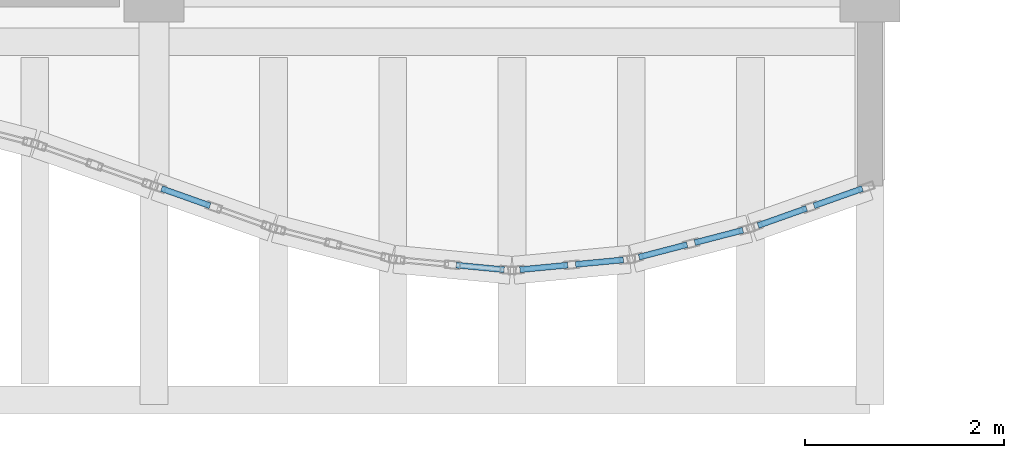
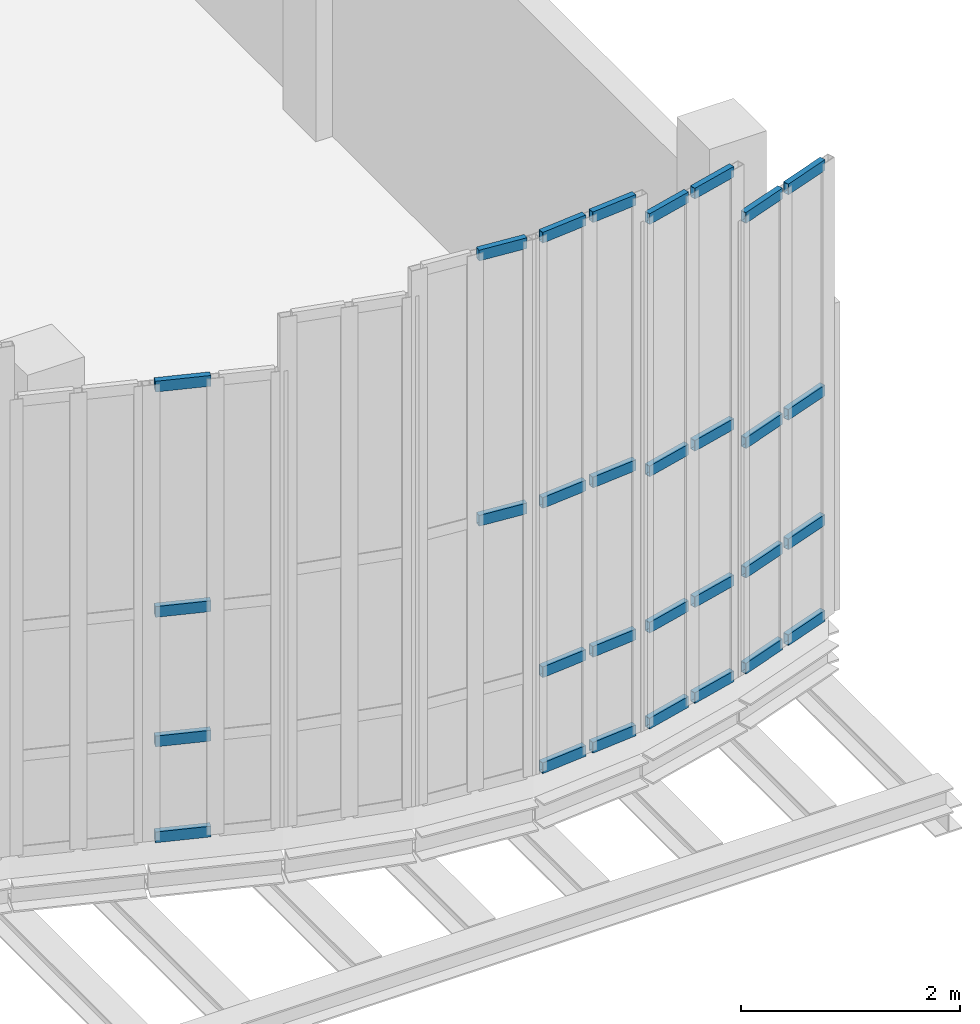
# One storey, part 46 of 76: 30 members, 5 elements without a shape of their own.
"""IFC4 building model written with IfcOpenShell, lengths in metres."""

from ifc_helpers import new_model, si_unit, direction, frame, origin, origin_2d, place, context, subcontext, project, spatial, hollow_rectangle, extrude, material, layer, layer_set, material_profile, profile_set, type_object, element, aggregate, save


model = new_model("IFC4")

# Units and contexts
model_context = context("Model", 3, precision=1e-05, world=origin(), true_north=direction((0.0, 1.0)))
body_context = subcontext(model_context, "Body", "Model", "MODEL_VIEW")
ifc_project = project(units=[si_unit("LENGTHUNIT", "METRE"), si_unit("AREAUNIT", "SQUARE_METRE"), si_unit("VOLUMEUNIT", "CUBIC_METRE"), si_unit("PLANEANGLEUNIT", "RADIAN"), si_unit("MASSUNIT", "GRAM", prefix="KILO"), si_unit("THERMODYNAMICTEMPERATUREUNIT", "KELVIN"), si_unit("POWERUNIT", "WATT")], contexts=[model_context])

# Site, building, storey
site_placement = place(None, origin())
site = spatial("IfcSite", under=ifc_project, at=site_placement, CompositionType="ELEMENT")
building_placement = place(site_placement, origin())
building = spatial("IfcBuilding", under=site, at=building_placement, Name="Kaldorven Railside Theatre", CompositionType="ELEMENT")
storey_placement = place(building_placement, frame((0.0, 0.0, 14.39990234375)))
storey = spatial("IfcBuildingStorey", under=building, at=storey_placement, Name="L03", CompositionType="ELEMENT", Elevation=14.39990234375)

# Curtain wall, members
ifc_material_1 = material(Name="Low-E laminated solar-control glass", Category="glass")
ifc_layer_1 = layer(ifc_material_1, 0.159912109375, Name="Low-E laminated solar-control glass")
ifc_layer_set_1 = layer_set([ifc_layer_1], Name="Low-E laminated solar-control glass")
curtain_wall_type_1 = type_object("IfcCurtainWallType", Name="CWT-08", PredefinedType="USERDEFINED", material=ifc_layer_set_1)
curtain_wall_1_placement = place(storey_placement, origin())
curtain_wall_1 = element("IfcCurtainWall", 1, at=curtain_wall_1_placement, inside=storey, type_object=curtain_wall_type_1, Name="Sinusoidal Fluted Curtain Wall CW-L03-S67", ObjectType="FLUTED GLAZING", PredefinedType="USERDEFINED")
ifc_material_2 = material(Name="Anodised bronze aluminium", Category="aluminium")
ifc_material_profile = material_profile(ifc_material_2, hollow_rectangle(XDim=0.06005859375, YDim=0.1201171875, WallThickness=0.0048828125, at=origin_2d()), Name="RHS 120x60x5")
ifc_profile_set = profile_set([ifc_material_profile], Name="Anodised bronze aluminium")
member_type = type_object("IfcMemberType", Name="CWT-120", PredefinedType="USERDEFINED", material=ifc_profile_set)
member_1_placement = place(storey_placement, frame((116.075439453125, 17.223388671875, 0.030029296875), z_axis=(0.942509408488, -0.334179614745, 0.0), x_axis=(0.334179614745, 0.942509408488, 0.0)))
member_1 = element("IfcMember", 2, at=member_1_placement, type_object=member_type, Name="CW-L03-S67 transom 1.1", ObjectType="TRANSOM", PredefinedType="USERDEFINED", context=body_context, shape_type="SweptSolid", body=[
    extrude(hollow_rectangle(XDim=0.06005859375, YDim=0.1201171875, WallThickness=0.0048828125, at=origin_2d()), origin(), (0.0, 0.0, 1.0), 0.5166015625),
])
member_2_placement = place(storey_placement, frame((116.075439453125, 17.223388671875, 1.10009765625), z_axis=(0.942509408488, -0.334179614745, 0.0), x_axis=(0.334179614745, 0.942509408488, 0.0)))
member_2 = element("IfcMember", 3, at=member_2_placement, type_object=member_type, Name="CW-L03-S67 transom 1.2", ObjectType="TRANSOM", PredefinedType="USERDEFINED", context=body_context, shape_type="SweptSolid", body=[
    extrude(hollow_rectangle(XDim=0.06005859375, YDim=0.1201171875, WallThickness=0.0048828125, at=origin_2d()), origin(), (0.0, 0.0, 1.0), 0.5166015625),
])
member_3_placement = place(storey_placement, frame((116.075439453125, 17.223388671875, 2.545166015625), z_axis=(0.942509408488, -0.334179614745, 0.0), x_axis=(0.334179614745, 0.942509408488, 0.0)))
member_3 = element("IfcMember", 4, at=member_3_placement, type_object=member_type, Name="CW-L03-S67 transom 1.3", ObjectType="TRANSOM", PredefinedType="USERDEFINED", context=body_context, shape_type="SweptSolid", body=[
    extrude(hollow_rectangle(XDim=0.06005859375, YDim=0.1201171875, WallThickness=0.0048828125, at=origin_2d()), origin(), (0.0, 0.0, 1.0), 0.5166015625),
])
member_4_placement = place(storey_placement, frame((116.075439453125, 17.223388671875, 5.06005859375), z_axis=(0.942509408488, -0.334179614745, 0.0), x_axis=(0.334179614745, 0.942509408488, 0.0)))
member_4 = element("IfcMember", 5, at=member_4_placement, type_object=member_type, Name="CW-L03-S67 transom 1.4", ObjectType="TRANSOM", PredefinedType="USERDEFINED", context=body_context, shape_type="SweptSolid", body=[
    extrude(hollow_rectangle(XDim=0.06005859375, YDim=0.1201171875, WallThickness=0.0048828125, at=origin_2d()), origin(), (0.0, 0.0, 1.0), 0.5166015625),
])
aggregate(curtain_wall_1, [member_1, member_2, member_3, member_4])

ifc_layer_2 = layer(ifc_material_1, 0.159912109375, Name="Low-E laminated solar-control glass")
ifc_layer_set_2 = layer_set([ifc_layer_2], Name="Low-E laminated solar-control glass")
curtain_wall_type_2 = type_object("IfcCurtainWallType", Name="CWT-10", PredefinedType="USERDEFINED", material=ifc_layer_set_2)
curtain_wall_2_placement = place(storey_placement, origin())
curtain_wall_2 = element("IfcCurtainWall", 6, at=curtain_wall_2_placement, inside=storey, type_object=curtain_wall_type_2, Name="Sinusoidal Fluted Curtain Wall CW-L03-S69", ObjectType="FLUTED GLAZING", PredefinedType="USERDEFINED")
member_5_placement = place(storey_placement, frame((119.039794921875, 16.453125, 2.989990234375), z_axis=(0.995515910823, -0.094594245591, 0.0), x_axis=(0.094594245591, 0.995515910823, 0.0)))
member_5 = element("IfcMember", 7, at=member_5_placement, type_object=member_type, Name="CW-L03-S69 transom 2.3", ObjectType="TRANSOM", PredefinedType="USERDEFINED", context=body_context, shape_type="SweptSolid", body=[
    extrude(hollow_rectangle(XDim=0.06005859375, YDim=0.1201171875, WallThickness=0.0048828125, at=origin_2d()), origin(), (0.0, 0.0, 1.0), 0.482666015625),
])
member_6_placement = place(storey_placement, frame((119.039794921875, 16.453125, 5.9501953125), z_axis=(0.995515910823, -0.094594245591, 0.0), x_axis=(0.094594245591, 0.995515910823, 0.0)))
member_6 = element("IfcMember", 8, at=member_6_placement, type_object=member_type, Name="CW-L03-S69 transom 2.4", ObjectType="TRANSOM", PredefinedType="USERDEFINED", context=body_context, shape_type="SweptSolid", body=[
    extrude(hollow_rectangle(XDim=0.06005859375, YDim=0.1201171875, WallThickness=0.0048828125, at=origin_2d()), origin(), (0.0, 0.0, 1.0), 0.482666015625),
])
aggregate(curtain_wall_2, [member_5, member_6])

curtain_wall_3_placement = place(storey_placement, origin())
curtain_wall_3 = element("IfcCurtainWall", 9, at=curtain_wall_3_placement, inside=storey, type_object=curtain_wall_type_2, Name="Sinusoidal Fluted Curtain Wall CW-L03-S70", ObjectType="FLUTED GLAZING", PredefinedType="USERDEFINED")
member_7_placement = place(storey_placement, frame((119.6796875, 16.407470703125, 0.030029296875), z_axis=(0.995515910823, 0.094594245591, 0.0), x_axis=(-0.094594245591, 0.995515910823, 0.0)))
member_7 = element("IfcMember", 10, at=member_7_placement, type_object=member_type, Name="CW-L03-S70 transom 1.1", ObjectType="TRANSOM", PredefinedType="USERDEFINED", context=body_context, shape_type="SweptSolid", body=[
    extrude(hollow_rectangle(XDim=0.06005859375, YDim=0.1201171875, WallThickness=0.0048828125, at=origin_2d()), origin(), (0.0, 0.0, 1.0), 0.482666015625),
])
member_8_placement = place(storey_placement, frame((119.6796875, 16.407470703125, 1.10009765625), z_axis=(0.995515910823, 0.094594245591, 0.0), x_axis=(-0.094594245591, 0.995515910823, 0.0)))
member_8 = element("IfcMember", 11, at=member_8_placement, type_object=member_type, Name="CW-L03-S70 transom 1.2", ObjectType="TRANSOM", PredefinedType="USERDEFINED", context=body_context, shape_type="SweptSolid", body=[
    extrude(hollow_rectangle(XDim=0.06005859375, YDim=0.1201171875, WallThickness=0.0048828125, at=origin_2d()), origin(), (0.0, 0.0, 1.0), 0.482666015625),
])
member_9_placement = place(storey_placement, frame((119.6796875, 16.407470703125, 2.989990234375), z_axis=(0.995515910823, 0.094594245591, 0.0), x_axis=(-0.094594245591, 0.995515910823, 0.0)))
member_9 = element("IfcMember", 12, at=member_9_placement, type_object=member_type, Name="CW-L03-S70 transom 1.3", ObjectType="TRANSOM", PredefinedType="USERDEFINED", context=body_context, shape_type="SweptSolid", body=[
    extrude(hollow_rectangle(XDim=0.06005859375, YDim=0.1201171875, WallThickness=0.0048828125, at=origin_2d()), origin(), (0.0, 0.0, 1.0), 0.482666015625),
])
member_10_placement = place(storey_placement, frame((119.6796875, 16.407470703125, 5.9501953125), z_axis=(0.995515910823, 0.094594245591, 0.0), x_axis=(-0.094594245591, 0.995515910823, 0.0)))
member_10 = element("IfcMember", 13, at=member_10_placement, type_object=member_type, Name="CW-L03-S70 transom 1.4", ObjectType="TRANSOM", PredefinedType="USERDEFINED", context=body_context, shape_type="SweptSolid", body=[
    extrude(hollow_rectangle(XDim=0.06005859375, YDim=0.1201171875, WallThickness=0.0048828125, at=origin_2d()), origin(), (0.0, 0.0, 1.0), 0.482666015625),
])
member_11_placement = place(storey_placement, frame((120.23974609375, 16.460693359375, 0.030029296875), z_axis=(0.995520433802, 0.094546633378, 0.0), x_axis=(-0.094546633378, 0.995520433802, 0.0)))
member_11 = element("IfcMember", 14, at=member_11_placement, type_object=member_type, Name="CW-L03-S70 transom 2.1", ObjectType="TRANSOM", PredefinedType="USERDEFINED", context=body_context, shape_type="SweptSolid", body=[
    extrude(hollow_rectangle(XDim=0.06005859375, YDim=0.1201171875, WallThickness=0.0048828125, at=origin_2d()), origin(), (0.0, 0.0, 1.0), 0.48291015625),
])
member_12_placement = place(storey_placement, frame((120.23974609375, 16.460693359375, 1.10009765625), z_axis=(0.995520433802, 0.094546633378, 0.0), x_axis=(-0.094546633378, 0.995520433802, 0.0)))
member_12 = element("IfcMember", 15, at=member_12_placement, type_object=member_type, Name="CW-L03-S70 transom 2.2", ObjectType="TRANSOM", PredefinedType="USERDEFINED", context=body_context, shape_type="SweptSolid", body=[
    extrude(hollow_rectangle(XDim=0.06005859375, YDim=0.1201171875, WallThickness=0.0048828125, at=origin_2d()), origin(), (0.0, 0.0, 1.0), 0.48291015625),
])
member_13_placement = place(storey_placement, frame((120.23974609375, 16.460693359375, 2.989990234375), z_axis=(0.995520433802, 0.094546633378, 0.0), x_axis=(-0.094546633378, 0.995520433802, 0.0)))
member_13 = element("IfcMember", 16, at=member_13_placement, type_object=member_type, Name="CW-L03-S70 transom 2.3", ObjectType="TRANSOM", PredefinedType="USERDEFINED", context=body_context, shape_type="SweptSolid", body=[
    extrude(hollow_rectangle(XDim=0.06005859375, YDim=0.1201171875, WallThickness=0.0048828125, at=origin_2d()), origin(), (0.0, 0.0, 1.0), 0.48291015625),
])
member_14_placement = place(storey_placement, frame((120.23974609375, 16.460693359375, 5.9501953125), z_axis=(0.995520433802, 0.094546633378, 0.0), x_axis=(-0.094546633378, 0.995520433802, 0.0)))
member_14 = element("IfcMember", 17, at=member_14_placement, type_object=member_type, Name="CW-L03-S70 transom 2.4", ObjectType="TRANSOM", PredefinedType="USERDEFINED", context=body_context, shape_type="SweptSolid", body=[
    extrude(hollow_rectangle(XDim=0.06005859375, YDim=0.1201171875, WallThickness=0.0048828125, at=origin_2d()), origin(), (0.0, 0.0, 1.0), 0.48291015625),
])
aggregate(curtain_wall_3, [member_7, member_8, member_9, member_10, member_11, member_12, member_13, member_14])

ifc_layer_3 = layer(ifc_material_1, 0.159912109375, Name="Low-E laminated solar-control glass")
ifc_layer_set_3 = layer_set([ifc_layer_3], Name="Low-E laminated solar-control glass")
curtain_wall_type_3 = type_object("IfcCurtainWallType", Name="CWT-09", PredefinedType="USERDEFINED", material=ifc_layer_set_3)
curtain_wall_4_placement = place(storey_placement, origin())
curtain_wall_4 = element("IfcCurtainWall", 18, at=curtain_wall_4_placement, inside=storey, type_object=curtain_wall_type_3, Name="Sinusoidal Fluted Curtain Wall CW-L03-S71", ObjectType="FLUTED GLAZING", PredefinedType="USERDEFINED")
member_15_placement = place(storey_placement, frame((120.87744140625, 16.533935546875, 0.030029296875), z_axis=(0.967979318949, 0.251029954561, 0.0), x_axis=(-0.251029954561, 0.967979318949, 0.0)))
member_15 = element("IfcMember", 19, at=member_15_placement, type_object=member_type, Name="CW-L03-S71 transom 1.1", ObjectType="TRANSOM", PredefinedType="USERDEFINED", context=body_context, shape_type="SweptSolid", body=[
    extrude(hollow_rectangle(XDim=0.06005859375, YDim=0.1201171875, WallThickness=0.0048828125, at=origin_2d()), origin(), (0.0, 0.0, 1.0), 0.5),
])
member_16_placement = place(storey_placement, frame((120.87744140625, 16.533935546875, 1.10009765625), z_axis=(0.967979318949, 0.251029954561, 0.0), x_axis=(-0.251029954561, 0.967979318949, 0.0)))
member_16 = element("IfcMember", 20, at=member_16_placement, type_object=member_type, Name="CW-L03-S71 transom 1.2", ObjectType="TRANSOM", PredefinedType="USERDEFINED", context=body_context, shape_type="SweptSolid", body=[
    extrude(hollow_rectangle(XDim=0.06005859375, YDim=0.1201171875, WallThickness=0.0048828125, at=origin_2d()), origin(), (0.0, 0.0, 1.0), 0.5),
])
member_17_placement = place(storey_placement, frame((120.87744140625, 16.533935546875, 2.84521484375), z_axis=(0.967979318949, 0.251029954561, 0.0), x_axis=(-0.251029954561, 0.967979318949, 0.0)))
member_17 = element("IfcMember", 21, at=member_17_placement, type_object=member_type, Name="CW-L03-S71 transom 1.3", ObjectType="TRANSOM", PredefinedType="USERDEFINED", context=body_context, shape_type="SweptSolid", body=[
    extrude(hollow_rectangle(XDim=0.06005859375, YDim=0.1201171875, WallThickness=0.0048828125, at=origin_2d()), origin(), (0.0, 0.0, 1.0), 0.5),
])
member_18_placement = place(storey_placement, frame((120.87744140625, 16.533935546875, 5.66015625), z_axis=(0.967979318949, 0.251029954561, 0.0), x_axis=(-0.251029954561, 0.967979318949, 0.0)))
member_18 = element("IfcMember", 22, at=member_18_placement, type_object=member_type, Name="CW-L03-S71 transom 1.4", ObjectType="TRANSOM", PredefinedType="USERDEFINED", context=body_context, shape_type="SweptSolid", body=[
    extrude(hollow_rectangle(XDim=0.06005859375, YDim=0.1201171875, WallThickness=0.0048828125, at=origin_2d()), origin(), (0.0, 0.0, 1.0), 0.5),
])
member_19_placement = place(storey_placement, frame((121.438720703125, 16.679443359375, 0.030029296875), z_axis=(0.967979318949, 0.251029954561, 0.0), x_axis=(-0.251029954561, 0.967979318949, 0.0)))
member_19 = element("IfcMember", 23, at=member_19_placement, type_object=member_type, Name="CW-L03-S71 transom 2.1", ObjectType="TRANSOM", PredefinedType="USERDEFINED", context=body_context, shape_type="SweptSolid", body=[
    extrude(hollow_rectangle(XDim=0.06005859375, YDim=0.1201171875, WallThickness=0.0048828125, at=origin_2d()), origin(), (0.0, 0.0, 1.0), 0.5),
])
member_20_placement = place(storey_placement, frame((121.438720703125, 16.679443359375, 1.10009765625), z_axis=(0.967979318949, 0.251029954561, 0.0), x_axis=(-0.251029954561, 0.967979318949, 0.0)))
member_20 = element("IfcMember", 24, at=member_20_placement, type_object=member_type, Name="CW-L03-S71 transom 2.2", ObjectType="TRANSOM", PredefinedType="USERDEFINED", context=body_context, shape_type="SweptSolid", body=[
    extrude(hollow_rectangle(XDim=0.06005859375, YDim=0.1201171875, WallThickness=0.0048828125, at=origin_2d()), origin(), (0.0, 0.0, 1.0), 0.5),
])
member_21_placement = place(storey_placement, frame((121.438720703125, 16.679443359375, 2.84521484375), z_axis=(0.967979318949, 0.251029954561, 0.0), x_axis=(-0.251029954561, 0.967979318949, 0.0)))
member_21 = element("IfcMember", 25, at=member_21_placement, type_object=member_type, Name="CW-L03-S71 transom 2.3", ObjectType="TRANSOM", PredefinedType="USERDEFINED", context=body_context, shape_type="SweptSolid", body=[
    extrude(hollow_rectangle(XDim=0.06005859375, YDim=0.1201171875, WallThickness=0.0048828125, at=origin_2d()), origin(), (0.0, 0.0, 1.0), 0.5),
])
member_22_placement = place(storey_placement, frame((121.438720703125, 16.679443359375, 5.66015625), z_axis=(0.967979318949, 0.251029954561, 0.0), x_axis=(-0.251029954561, 0.967979318949, 0.0)))
member_22 = element("IfcMember", 26, at=member_22_placement, type_object=member_type, Name="CW-L03-S71 transom 2.4", ObjectType="TRANSOM", PredefinedType="USERDEFINED", context=body_context, shape_type="SweptSolid", body=[
    extrude(hollow_rectangle(XDim=0.06005859375, YDim=0.1201171875, WallThickness=0.0048828125, at=origin_2d()), origin(), (0.0, 0.0, 1.0), 0.5),
])
aggregate(curtain_wall_4, [member_15, member_16, member_17, member_18, member_19, member_20, member_21, member_22])

curtain_wall_5_placement = place(storey_placement, origin())
curtain_wall_5 = element("IfcCurtainWall", 27, at=curtain_wall_5_placement, inside=storey, type_object=curtain_wall_type_1, Name="Sinusoidal Fluted Curtain Wall CW-L03-S72", ObjectType="FLUTED GLAZING", PredefinedType="USERDEFINED")
member_23_placement = place(storey_placement, frame((122.075439453125, 16.851806640625, 0.030029296875), z_axis=(0.942658214948, 0.333759628763, 0.0), x_axis=(-0.333759628763, 0.942658214948, 0.0)))
member_23 = element("IfcMember", 28, at=member_23_placement, type_object=member_type, Name="CW-L03-S72 transom 1.1", ObjectType="TRANSOM", PredefinedType="USERDEFINED", context=body_context, shape_type="SweptSolid", body=[
    extrude(hollow_rectangle(XDim=0.06005859375, YDim=0.1201171875, WallThickness=0.0048828125, at=origin_2d()), origin(), (0.0, 0.0, 1.0), 0.516357421875),
])
member_24_placement = place(storey_placement, frame((122.075439453125, 16.851806640625, 1.10009765625), z_axis=(0.942658214948, 0.333759628763, 0.0), x_axis=(-0.333759628763, 0.942658214948, 0.0)))
member_24 = element("IfcMember", 29, at=member_24_placement, type_object=member_type, Name="CW-L03-S72 transom 1.2", ObjectType="TRANSOM", PredefinedType="USERDEFINED", context=body_context, shape_type="SweptSolid", body=[
    extrude(hollow_rectangle(XDim=0.06005859375, YDim=0.1201171875, WallThickness=0.0048828125, at=origin_2d()), origin(), (0.0, 0.0, 1.0), 0.516357421875),
])
member_25_placement = place(storey_placement, frame((122.075439453125, 16.851806640625, 2.545166015625), z_axis=(0.942658214948, 0.333759628763, 0.0), x_axis=(-0.333759628763, 0.942658214948, 0.0)))
member_25 = element("IfcMember", 30, at=member_25_placement, type_object=member_type, Name="CW-L03-S72 transom 1.3", ObjectType="TRANSOM", PredefinedType="USERDEFINED", context=body_context, shape_type="SweptSolid", body=[
    extrude(hollow_rectangle(XDim=0.06005859375, YDim=0.1201171875, WallThickness=0.0048828125, at=origin_2d()), origin(), (0.0, 0.0, 1.0), 0.516357421875),
])
member_26_placement = place(storey_placement, frame((122.075439453125, 16.851806640625, 5.06005859375), z_axis=(0.942658214948, 0.333759628763, 0.0), x_axis=(-0.333759628763, 0.942658214948, 0.0)))
member_26 = element("IfcMember", 31, at=member_26_placement, type_object=member_type, Name="CW-L03-S72 transom 1.4", ObjectType="TRANSOM", PredefinedType="USERDEFINED", context=body_context, shape_type="SweptSolid", body=[
    extrude(hollow_rectangle(XDim=0.06005859375, YDim=0.1201171875, WallThickness=0.0048828125, at=origin_2d()), origin(), (0.0, 0.0, 1.0), 0.516357421875),
])
member_27_placement = place(storey_placement, frame((122.6376953125, 17.05078125, 0.030029296875), z_axis=(0.942509408488, 0.334179614745, 0.0), x_axis=(-0.334179614745, 0.942509408488, 0.0)))
member_27 = element("IfcMember", 32, at=member_27_placement, type_object=member_type, Name="CW-L03-S72 transom 2.1", ObjectType="TRANSOM", PredefinedType="USERDEFINED", context=body_context, shape_type="SweptSolid", body=[
    extrude(hollow_rectangle(XDim=0.06005859375, YDim=0.1201171875, WallThickness=0.0048828125, at=origin_2d()), origin(), (0.0, 0.0, 1.0), 0.5166015625),
])
member_28_placement = place(storey_placement, frame((122.6376953125, 17.05078125, 1.10009765625), z_axis=(0.942509408488, 0.334179614745, 0.0), x_axis=(-0.334179614745, 0.942509408488, 0.0)))
member_28 = element("IfcMember", 33, at=member_28_placement, type_object=member_type, Name="CW-L03-S72 transom 2.2", ObjectType="TRANSOM", PredefinedType="USERDEFINED", context=body_context, shape_type="SweptSolid", body=[
    extrude(hollow_rectangle(XDim=0.06005859375, YDim=0.1201171875, WallThickness=0.0048828125, at=origin_2d()), origin(), (0.0, 0.0, 1.0), 0.5166015625),
])
member_29_placement = place(storey_placement, frame((122.6376953125, 17.05078125, 2.545166015625), z_axis=(0.942509408488, 0.334179614745, 0.0), x_axis=(-0.334179614745, 0.942509408488, 0.0)))
member_29 = element("IfcMember", 34, at=member_29_placement, type_object=member_type, Name="CW-L03-S72 transom 2.3", ObjectType="TRANSOM", PredefinedType="USERDEFINED", context=body_context, shape_type="SweptSolid", body=[
    extrude(hollow_rectangle(XDim=0.06005859375, YDim=0.1201171875, WallThickness=0.0048828125, at=origin_2d()), origin(), (0.0, 0.0, 1.0), 0.5166015625),
])
member_30_placement = place(storey_placement, frame((122.6376953125, 17.05078125, 5.06005859375), z_axis=(0.942509408488, 0.334179614745, 0.0), x_axis=(-0.334179614745, 0.942509408488, 0.0)))
member_30 = element("IfcMember", 35, at=member_30_placement, type_object=member_type, Name="CW-L03-S72 transom 2.4", ObjectType="TRANSOM", PredefinedType="USERDEFINED", context=body_context, shape_type="SweptSolid", body=[
    extrude(hollow_rectangle(XDim=0.06005859375, YDim=0.1201171875, WallThickness=0.0048828125, at=origin_2d()), origin(), (0.0, 0.0, 1.0), 0.5166015625),
])
aggregate(curtain_wall_5, [member_23, member_24, member_25, member_26, member_27, member_28, member_29, member_30])

save(model, "model.ifc")
